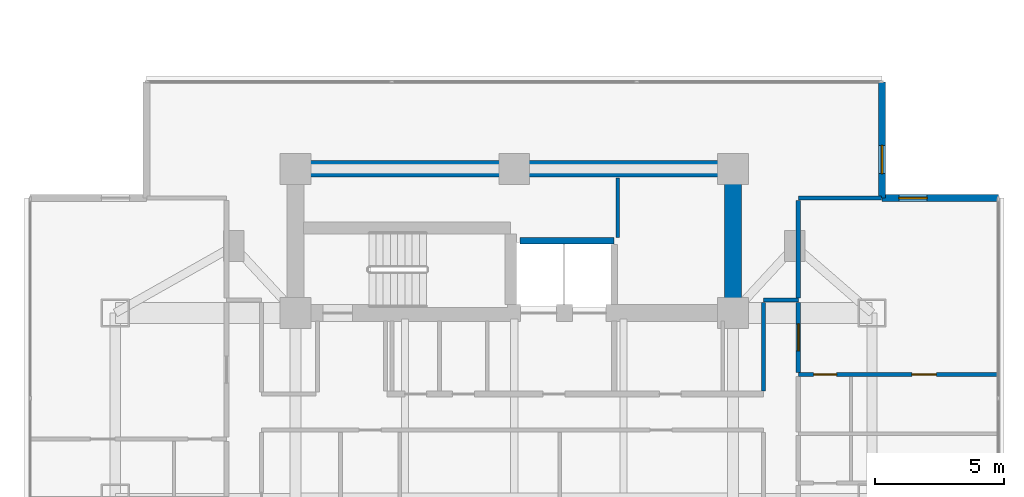
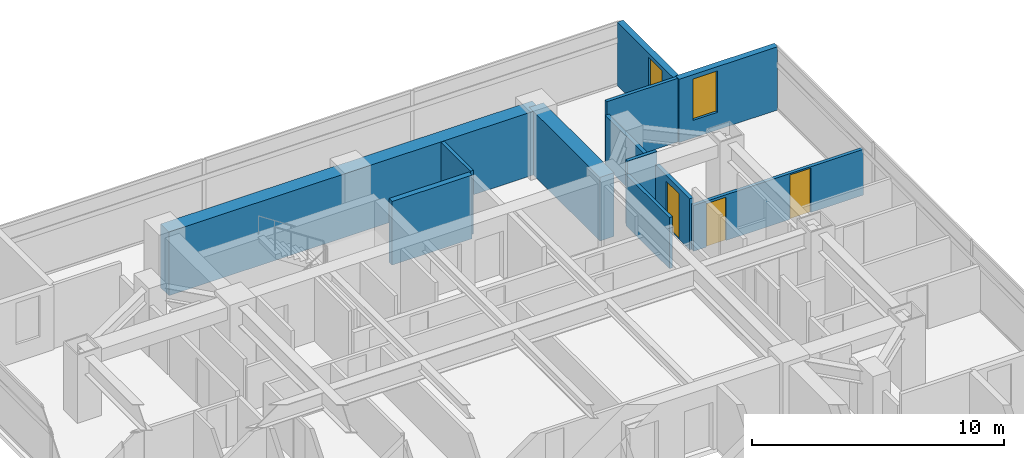
# One storey, part 19 of 25: 12 walls, 3 doors, 2 windows, 5 openings.
"""IFC4 building model written with IfcOpenShell, lengths in metres."""

from ifc_helpers import new_model, si_unit, direction, frame, frame_2d, origin, place, context, subcontext, project, spatial, rectangle, extrude, material, layer, layer_set, type_object, element, fill, save


model = new_model("IFC4")

# Units and contexts
model_context = context("Model", 3, precision=1e-05, world=origin(), true_north=direction((0.0, 1.0)))
body_context = subcontext(model_context, "Body", "Model", "MODEL_VIEW")
ifc_project = project(units=[si_unit("LENGTHUNIT", "METRE"), si_unit("AREAUNIT", "SQUARE_METRE"), si_unit("VOLUMEUNIT", "CUBIC_METRE"), si_unit("PLANEANGLEUNIT", "RADIAN"), si_unit("MASSUNIT", "GRAM", prefix="KILO")], contexts=[model_context])

# Site, building, storey
site_placement = place(None, origin())
site = spatial("IfcSite", under=ifc_project, at=site_placement, CompositionType="ELEMENT")
building_placement = place(site_placement, origin())
building = spatial("IfcBuilding", under=site, at=building_placement, Name="Mirazonda Arch Towers", CompositionType="ELEMENT")
storey_placement = place(building_placement, frame((0.0, 0.0, 111.5)))
storey = spatial("IfcBuildingStorey", under=building, at=storey_placement, Name="L31", CompositionType="ELEMENT", Elevation=111.5)

# Walls
ifc_material_1 = material(Name="Concrete C60/75", Category="concrete")
ifc_layer_1 = layer(ifc_material_1, 0.64990234375, Name="WALL-CORE-650")
ifc_layer_set_1 = layer_set([ifc_layer_1], Name="Concrete C60/75")
wall_type_1 = type_object("IfcWallType", Name="WALL-CORE-650", PredefinedType="SHEAR", material=ifc_layer_set_1)
wall_1_placement = place(storey_placement, frame((68.0, 40.800048828125, 0.0), z_axis=(0.0, 0.0, 1.0), x_axis=(1.0, 0.0, 0.0)))
element("IfcWall", 1, at=wall_1_placement, inside=storey, type_object=wall_type_1, Name="L31 T2N-N Core Shear Wall", PredefinedType="SHEAR", context=body_context, shape_type="SweptSolid", body=[
    extrude(rectangle(XDim=17.0, YDim=0.64990234375, at=frame_2d((8.5, 0.0))), origin(), (0.0, 0.0, 1.0), 3.080078125),
])
wall_2_placement = place(storey_placement, frame((85.0, 35.199951171875, 0.0), z_axis=(0.0, 0.0, 1.0), x_axis=(0.0, 1.0, 0.0)))
element("IfcWall", 2, at=wall_2_placement, inside=storey, type_object=wall_type_1, Name="L31 T2N-E Core Shear Wall", PredefinedType="SHEAR", context=body_context, shape_type="SweptSolid", body=[
    extrude(rectangle(XDim=5.60009765625, YDim=0.64990234375, at=frame_2d((2.800048828125, 0.0))), origin(), (0.0, 0.0, 1.0), 3.080078125),
])

# Wall, opening, window
ifc_material_2 = material(Name="Precast Concrete C40/50", Category="concrete")
ifc_layer_2 = layer(ifc_material_2, 0.280029296875, Name="WALL-EXT-WALL-280")
ifc_layer_set_2 = layer_set([ifc_layer_2], Name="Precast Concrete C40/50")
wall_type_2 = type_object("IfcWallType", Name="WALL-EXT-WALL-280", PredefinedType="SOLIDWALL", material=ifc_layer_set_2)
wall_3_placement = place(storey_placement, frame((90.792236328125, 39.664306640625, 0.0), z_axis=(0.0, 0.0, 1.0), x_axis=(0.0, 1.0, 0.0)))
wall_3 = element("IfcWall", 3, at=wall_3_placement, inside=storey, type_object=wall_type_2, Name="L31 T2 Notched NE Corner Wall WL-L31-T2-CNE", PredefinedType="SOLIDWALL", context=body_context, shape_type="SweptSolid", body=[
    extrude(rectangle(XDim=4.516357421875, YDim=0.280029296875, at=frame_2d((2.25830078125, 0.0))), origin(), (0.0, 0.0, 1.0), 3.06005859375),
])
opening_1_placement = place(wall_3_placement, frame((0.949951171875, 0.0, 0.85009765625)))
opening_1 = element("IfcOpeningElement", 4, at=opening_1_placement, cuts=wall_3, Name="Opening WN-108", PredefinedType="OPENING", context=body_context, shape_type="SweptSolid", body=[
    extrude(rectangle(XDim=1.10009765625, YDim=2.0, at=frame_2d((0.550048828125, 1.0))), frame((0.0, 0.14990234375, 0.0), z_axis=(0.0, -1.0, 0.0), x_axis=(1.0, 0.0, 0.0)), (0.0, 0.0, 1.0), 0.300048828125),
])
ifc_material_3 = material(Name="Insulated Low-E Solar Glass", Category="glass")
window_type = type_object("IfcWindowType", Name="WIN-NOTCH-1100x2000", PartitioningType="SINGLE_PANEL", PredefinedType="WINDOW", material=ifc_material_3)
window_1_placement = place(opening_1_placement, origin())
window_1 = element("IfcWindow", 5, at=window_1_placement, inside=storey, type_object=window_type, Name="L31 Punched Facade Window WN-L31-T2-CNE", OverallHeight=2.0, OverallWidth=1.10009765625, PartitioningType="SINGLE_PANEL", PredefinedType="WINDOW", context=body_context, shape_type="SweptSolid", body=[
    extrude(rectangle(XDim=1.10009765625, YDim=2.0, at=frame_2d((0.550048828125, 1.0))), frame((0.0, 0.030029296875, 0.0), z_axis=(0.0, -1.0, 0.0), x_axis=(1.0, 0.0, 0.0)), (0.0, 0.0, 1.0), 0.06005859375),
])
fill(opening_1, window_1)

wall_4_placement = place(storey_placement, frame((95.30859375, 39.664306640625, 0.0), z_axis=(0.0, 0.0, 1.0), x_axis=(-1.0, 0.0, 0.0)))
wall_4 = element("IfcWall", 6, at=wall_4_placement, inside=storey, type_object=wall_type_2, Name="L31 T2 Corner Notch Return Wall WL-L31-T2-CNE2", PredefinedType="SOLIDWALL", context=body_context, shape_type="SweptSolid", body=[
    extrude(rectangle(XDim=4.516357421875, YDim=0.280029296875, at=frame_2d((2.25830078125, 0.0))), origin(), (0.0, 0.0, 1.0), 3.06005859375),
])
opening_2_placement = place(wall_4_placement, frame((2.76611328125, 0.0, 0.85009765625)))
opening_2 = element("IfcOpeningElement", 7, at=opening_2_placement, cuts=wall_4, Name="Opening WN-108", PredefinedType="OPENING", context=body_context, shape_type="SweptSolid", body=[
    extrude(rectangle(XDim=1.10009765625, YDim=2.0, at=frame_2d((0.550048828125, 1.0))), frame((0.0, 0.14990234375, 0.0), z_axis=(0.0, -1.0, 0.0), x_axis=(1.0, 0.0, 0.0)), (0.0, 0.0, 1.0), 0.300048828125),
])
window_2_placement = place(opening_2_placement, origin())
window_2 = element("IfcWindow", 8, at=window_2_placement, inside=storey, type_object=window_type, Name="L31 Punched Facade Window WN-L31-T2-CNE2", OverallHeight=2.0, OverallWidth=1.10009765625, PartitioningType="SINGLE_PANEL", PredefinedType="WINDOW", context=body_context, shape_type="SweptSolid", body=[
    extrude(rectangle(XDim=1.10009765625, YDim=2.0, at=frame_2d((0.550048828125, 1.0))), frame((0.0, 0.030029296875, 0.0), z_axis=(0.0, -1.0, 0.0), x_axis=(1.0, 0.0, 0.0)), (0.0, 0.0, 1.0), 0.06005859375),
])
fill(opening_2, window_2)

# Wall, openings, doors
ifc_material_4 = material(Name="Fire-Rated Gypsum Stud Partition")
ifc_layer_3 = layer(ifc_material_4, 0.14990234375, Name="WALL-PART-CORR-150")
ifc_layer_set_3 = layer_set([ifc_layer_3], Name="Fire-Rated Gypsum Stud Partition")
wall_type_3 = type_object("IfcWallType", Name="WALL-PART-CORR-150", PredefinedType="PARTITIONING", material=ifc_layer_set_3)
wall_5_placement = place(storey_placement, frame((87.5400390625, 32.80810546875, 0.0), z_axis=(0.0, 0.0, 1.0), x_axis=(1.0, 0.0, 0.0)))
wall_5 = element("IfcWall", 9, at=wall_5_placement, inside=storey, type_object=wall_type_3, Name="L31 Interior Partition 047", PredefinedType="PARTITIONING", context=body_context, shape_type="SweptSolid", body=[
    extrude(rectangle(XDim=7.76806640625, YDim=0.14990234375, at=frame_2d((3.884033203125, 0.0))), origin(), (0.0, 0.0, 1.0), 2.216064453125),
])
opening_3_placement = place(wall_5_placement, frame((4.408935546875, 0.0, 0.0)))
opening_3 = element("IfcOpeningElement", 10, at=opening_3_placement, cuts=wall_5, Name="Opening DR-104", PredefinedType="OPENING", context=body_context, shape_type="SweptSolid", body=[
    extrude(rectangle(XDim=0.949951171875, YDim=2.14990234375, at=frame_2d((0.47509765625, 1.074951171875))), frame((0.0, 0.0849609375, 0.0), z_axis=(0.0, -1.0, 0.0), x_axis=(1.0, 0.0, 0.0)), (0.0, 0.0, 1.0), 0.169921875),
])
opening_4_placement = place(wall_5_placement, frame((0.590087890625, 0.0, 0.0)))
opening_4 = element("IfcOpeningElement", 11, at=opening_4_placement, cuts=wall_5, Name="Opening DR-120", PredefinedType="OPENING", context=body_context, shape_type="SweptSolid", body=[
    extrude(rectangle(XDim=0.89990234375, YDim=2.10009765625, at=frame_2d((0.449951171875, 1.050048828125))), frame((0.0, 0.0849609375, 0.0), z_axis=(0.0, -1.0, 0.0), x_axis=(1.0, 0.0, 0.0)), (0.0, 0.0, 1.0), 0.169921875),
])
ifc_material_5 = material(Name="Architectural Brushed Steel S355", Category="steel")
door_type_1 = type_object("IfcDoorType", Name="DOOR-ROOM-950", OperationType="NOTDEFINED", PredefinedType="DOOR", material=ifc_material_5)
door_1_placement = place(opening_3_placement, origin())
door_1 = element("IfcDoor", 12, at=door_1_placement, inside=storey, type_object=door_type_1, Name="L31 Guestroom Study 3 Door", OperationType="SINGLE_SWING_LEFT", OverallHeight=2.14990234375, OverallWidth=0.949951171875, PredefinedType="DOOR", context=body_context, shape_type="SweptSolid", body=[
    extrude(rectangle(XDim=0.949951171875, YDim=2.14990234375, at=frame_2d((0.47509765625, 1.074951171875))), frame((0.0, 0.02490234375, 0.0), z_axis=(0.0, -1.0, 0.0), x_axis=(1.0, 0.0, 0.0)), (0.0, 0.0, 1.0), 0.050048828125),
])
fill(opening_3, door_1)
door_type_2 = type_object("IfcDoorType", Name="DOOR-WC-900", OperationType="NOTDEFINED", PredefinedType="DOOR", material=ifc_material_5)
door_2_placement = place(opening_4_placement, origin())
door_2 = element("IfcDoor", 13, at=door_2_placement, inside=storey, type_object=door_type_2, Name="L31 En-Suite Bathroom 3 Door", OperationType="SINGLE_SWING_RIGHT", OverallHeight=2.10009765625, OverallWidth=0.89990234375, PredefinedType="DOOR", context=body_context, shape_type="SweptSolid", body=[
    extrude(rectangle(XDim=0.89990234375, YDim=2.10009765625, at=frame_2d((0.449951171875, 1.050048828125))), frame((0.0, 0.02490234375, 0.0), z_axis=(0.0, -1.0, 0.0), x_axis=(1.0, 0.0, 0.0)), (0.0, 0.0, 1.0), 0.050048828125),
])
fill(opening_4, door_2)

# Walls
wall_6_placement = place(storey_placement, frame((86.179931640625, 35.699951171875, 0.0), z_axis=(0.0, 0.0, 1.0), x_axis=(1.0, 0.0, 0.0)))
element("IfcWall", 14, at=wall_6_placement, inside=storey, type_object=wall_type_3, Name="L31 Interior Partition 055", PredefinedType="PARTITIONING", context=body_context, shape_type="SweptSolid", body=[
    extrude(rectangle(XDim=1.360107421875, YDim=0.14990234375, at=frame_2d((0.68017578125, 0.0))), origin(), (0.0, 0.0, 1.0), 3.080078125),
])
wall_7_placement = place(storey_placement, frame((87.5400390625, 39.6640625, 0.0), z_axis=(0.0, 0.0, 1.0), x_axis=(1.0, 0.0, 0.0)))
element("IfcWall", 15, at=wall_7_placement, inside=storey, type_object=wall_type_3, Name="L31 Interior Partition 060", PredefinedType="PARTITIONING", context=body_context, shape_type="SweptSolid", body=[
    extrude(rectangle(XDim=3.232177734375, YDim=0.14990234375, at=frame_2d((1.6162109375, 0.0))), origin(), (0.0, 0.0, 1.0), 3.080078125),
])
wall_8_placement = place(storey_placement, frame((80.52001953125, 38.135009765625, 0.0), z_axis=(0.0, 0.0, 1.0), x_axis=(0.0, 1.0, 0.0)))
element("IfcWall", 16, at=wall_8_placement, inside=storey, type_object=wall_type_3, Name="L31 Interior Partition 160", PredefinedType="PARTITIONING", context=body_context, shape_type="SweptSolid", body=[
    extrude(rectangle(XDim=2.31494140625, YDim=0.14990234375, at=frame_2d((1.157470703125, 0.0))), origin(), (0.0, 0.0, 1.0), 3.080078125),
])
wall_9_placement = place(storey_placement, frame((86.179931640625, 32.169921875, 0.0), z_axis=(0.0, 0.0, 1.0), x_axis=(0.0, 1.0, 0.0)))
element("IfcWall", 17, at=wall_9_placement, inside=storey, type_object=wall_type_3, Name="L31 Interior Partition 165", PredefinedType="PARTITIONING", context=body_context, shape_type="SweptSolid", body=[
    extrude(rectangle(XDim=3.445068359375, YDim=0.14990234375, at=frame_2d((1.72265625, 0.0))), origin(), (0.0, 0.0, 1.0), 2.471923828125),
])

# Wall, opening, door
ifc_material_6 = material(Name="Fire-Rated Gypsum Twin-Stud Assembly")
ifc_layer_4 = layer(ifc_material_6, 0.179931640625, Name="WALL-PART-DEMISE-180")
ifc_layer_set_4 = layer_set([ifc_layer_4], Name="Fire-Rated Gypsum Twin-Stud Assembly")
wall_type_4 = type_object("IfcWallType", Name="WALL-PART-DEMISE-180", PredefinedType="PARTITIONING", material=ifc_layer_set_4)
wall_10_placement = place(storey_placement, frame((87.5400390625, 32.89306640625, 0.0), z_axis=(0.0, 0.0, 1.0), x_axis=(0.0, 1.0, 0.0)))
wall_10 = element("IfcWall", 18, at=wall_10_placement, inside=storey, type_object=wall_type_4, Name="L31 Interior Partition 172", PredefinedType="PARTITIONING", context=body_context, shape_type="SweptSolid", body=[
    extrude(rectangle(XDim=2.721923828125, YDim=0.179931640625, at=frame_2d((1.36083984375, 0.0))), origin(), (0.0, 0.0, 1.0), 2.471923828125),
])
opening_5_placement = place(wall_10_placement, frame((0.8359375, 0.0, 0.0)))
opening_5 = element("IfcOpeningElement", 19, at=opening_5_placement, cuts=wall_10, Name="Opening DR-121", PredefinedType="OPENING", context=body_context, shape_type="SweptSolid", body=[
    extrude(rectangle(XDim=1.050048828125, YDim=2.199951171875, at=frame_2d((0.52490234375, 1.10009765625))), frame((0.0, 0.099853515625, 0.0), z_axis=(0.0, -1.0, 0.0), x_axis=(1.0, 0.0, 0.0)), (0.0, 0.0, 1.0), 0.199951171875),
])
door_type_3 = type_object("IfcDoorType", Name="DOOR-SUITE-FD60-1050", OperationType="NOTDEFINED", PredefinedType="DOOR", material=ifc_material_5)
door_3_placement = place(opening_5_placement, origin())
door_3 = element("IfcDoor", 20, at=door_3_placement, inside=storey, type_object=door_type_3, Name="L31 King Hotel Guestroom 3 Door", OperationType="SINGLE_SWING_RIGHT", OverallHeight=2.199951171875, OverallWidth=1.050048828125, PredefinedType="DOOR", context=body_context, shape_type="SweptSolid", body=[
    extrude(rectangle(XDim=1.050048828125, YDim=2.199951171875, at=frame_2d((0.52490234375, 1.10009765625))), frame((0.0, 0.02490234375, 0.0), z_axis=(0.0, -1.0, 0.0), x_axis=(1.0, 0.0, 0.0)), (0.0, 0.0, 1.0), 0.050048828125),
])
fill(opening_5, door_3)

# Walls
wall_11_placement = place(storey_placement, frame((87.5400390625, 35.784912109375, 0.0), z_axis=(0.0, 0.0, 1.0), x_axis=(0.0, 1.0, 0.0)))
element("IfcWall", 21, at=wall_11_placement, inside=storey, type_object=wall_type_4, Name="L31 Interior Partition 173", PredefinedType="PARTITIONING", context=body_context, shape_type="SweptSolid", body=[
    extrude(rectangle(XDim=3.794189453125, YDim=0.179931640625, at=frame_2d((1.89697265625, 0.0))), origin(), (0.0, 0.0, 1.0), 2.4560546875),
])
ifc_material_7 = material(Name="Concrete C40/50", Category="concrete")
ifc_layer_5 = layer(ifc_material_7, 0.25, Name="WALL-SHAFT-250")
ifc_layer_set_5 = layer_set([ifc_layer_5], Name="Concrete C40/50")
wall_type_5 = type_object("IfcWallType", Name="WALL-SHAFT-250", PredefinedType="SOLIDWALL", material=ifc_layer_set_5)
wall_12_placement = place(storey_placement, frame((76.719970703125, 38.0, 0.0), z_axis=(0.0, 0.0, 1.0), x_axis=(1.0, 0.0, 0.0)))
element("IfcWall", 22, at=wall_12_placement, inside=storey, type_object=wall_type_5, Name="L31 Interior Partition 057", PredefinedType="SOLIDWALL", context=body_context, shape_type="SweptSolid", body=[
    extrude(rectangle(XDim=3.659912109375, YDim=0.25, at=frame_2d((1.830078125, 0.0))), origin(), (0.0, 0.0, 1.0), 3.080078125),
])

save(model, "model.ifc")
